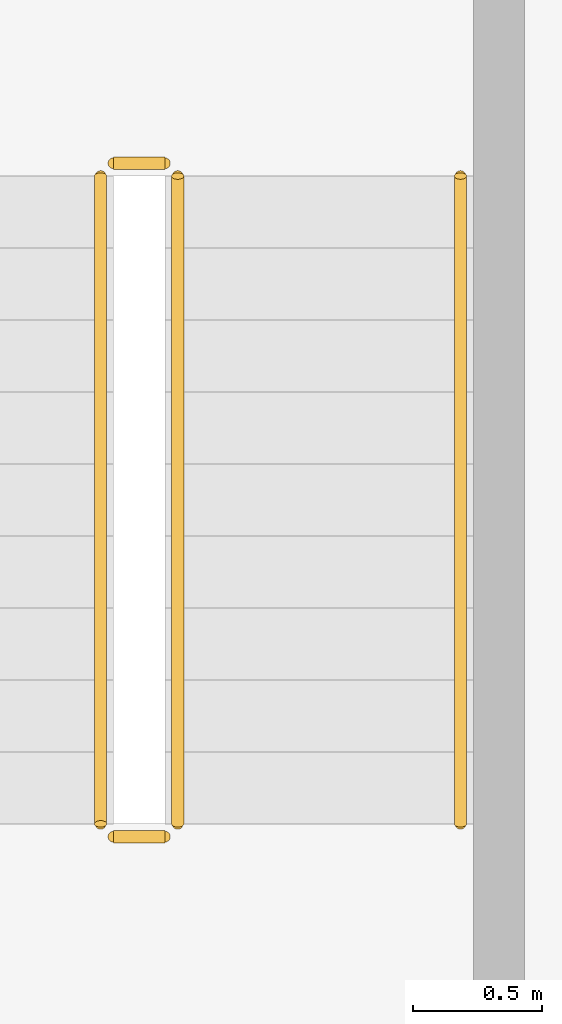
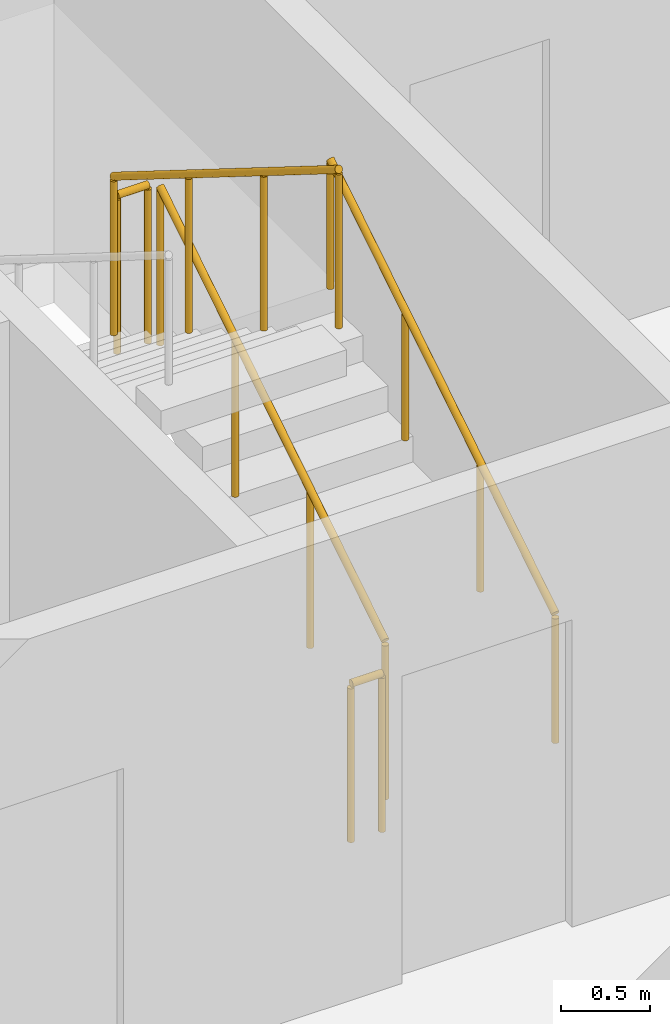
# One storey, part 14 of 18: 5 railings.
"""IFC4 building model written with IfcOpenShell, lengths in metres."""

from ifc_helpers import new_model, si_unit, direction, frame, origin, origin_2d, place, context, subcontext, project, spatial, circle, extrude, material, type_object, element, save


model = new_model("IFC4")

# Units and contexts
model_context = context("Model", 3, precision=1e-05, world=origin(), true_north=direction((0.0, 1.0)))
body_context = subcontext(model_context, "Body", "Model", "MODEL_VIEW")
ifc_project = project(units=[si_unit("LENGTHUNIT", "METRE"), si_unit("AREAUNIT", "SQUARE_METRE"), si_unit("VOLUMEUNIT", "CUBIC_METRE"), si_unit("PLANEANGLEUNIT", "RADIAN"), si_unit("MASSUNIT", "GRAM", prefix="KILO")], contexts=[model_context])

# Site, building, storey
site_placement = place(None, origin())
site = spatial("IfcSite", under=ifc_project, at=site_placement, CompositionType="ELEMENT")
building_placement = place(site_placement, origin())
building = spatial("IfcBuilding", under=site, at=building_placement, Name="Kiln Ring Residences", CompositionType="ELEMENT")
storey_placement = place(building_placement, frame((0.0, 0.0, 157.10009765625)))
storey = spatial("IfcBuildingStorey", under=building, at=storey_placement, Name="L40", CompositionType="ELEMENT", Elevation=157.10009765625)

# Railings
ifc_material_1 = material(Name="Stainless steel", Category="steel")
railing_type_1 = type_object("IfcRailingType", Name="CORE-STAIR-GUARD", PredefinedType="GUARDRAIL", material=ifc_material_1)
railing_1_placement = place(storey_placement, frame((22.25, -8.39990234375, 0.1748046875)))
element("IfcRailing", 1, at=railing_1_placement, inside=storey, type_object=railing_type_1, Name="L40 E-STS stair guard 1", PredefinedType="GUARDRAIL", context=body_context, shape_type="SweptSolid", body=[
    extrude(circle(Radius=0.02392578125, at=origin_2d()), frame((0.0, 0.0, 1.076171875), z_axis=(0.0, 0.847970611238, 0.530043245855), x_axis=(-1.0, 0.0, 0.0)), (0.0, 0.0, 1.0), 2.971923828125),
    extrude(circle(Radius=0.02099609375, at=origin_2d()), origin(), (0.0, 0.0, 1.0), 1.052001953125),
    extrude(circle(Radius=0.02099609375, at=origin_2d()), frame((0.0, 0.840087890625, 0.525146484375)), (0.0, 0.0, 1.0), 1.052001953125),
    extrude(circle(Radius=0.02099609375, at=origin_2d()), frame((0.0, 1.679931640625, 1.050048828125)), (0.0, 0.0, 1.0), 1.052001953125),
    extrude(circle(Radius=0.02099609375, at=origin_2d()), frame((0.0, 2.52001953125, 1.5751953125)), (0.0, 0.0, 1.0), 1.052001953125),
])
railing_2_placement = place(storey_placement, frame((22.199951171875, -5.830078125, 1.75)))
element("IfcRailing", 2, at=railing_2_placement, inside=storey, type_object=railing_type_1, Name="L40 E-STS stair guard 2", PredefinedType="GUARDRAIL", context=body_context, shape_type="SweptSolid", body=[
    extrude(circle(Radius=0.02392578125, at=origin_2d()), frame((0.0, 0.0, 1.076171875), z_axis=(-1.0, 0.0, 0.0), x_axis=(0.0, -1.0, 0.0)), (0.0, 0.0, 1.0), 0.199951171875),
    extrude(circle(Radius=0.02099609375, at=origin_2d()), origin(), (0.0, 0.0, 1.0), 1.052001953125),
    extrude(circle(Radius=0.02099609375, at=origin_2d()), frame((-0.199951171875, 0.0, 0.0)), (0.0, 0.0, 1.0), 1.052001953125),
])
railing_3_placement = place(storey_placement, frame((21.949951171875, -5.8798828125, 1.9248046875)))
element("IfcRailing", 3, at=railing_3_placement, inside=storey, type_object=railing_type_1, Name="L40 E-STS stair guard 3", PredefinedType="GUARDRAIL", context=body_context, shape_type="SweptSolid", body=[
    extrude(circle(Radius=0.02392578125, at=origin_2d()), frame((0.0, 0.0, 1.076171875), z_axis=(0.0, -0.847970611238, 0.530043245855), x_axis=(1.0, 0.0, 0.0)), (0.0, 0.0, 1.0), 2.971923828125),
    extrude(circle(Radius=0.02099609375, at=origin_2d()), origin(), (0.0, 0.0, 1.0), 1.052001953125),
    extrude(circle(Radius=0.02099609375, at=origin_2d()), frame((0.0, -0.840087890625, 0.525146484375)), (0.0, 0.0, 1.0), 1.052001953125),
    extrude(circle(Radius=0.02099609375, at=origin_2d()), frame((0.0, -1.679931640625, 1.050048828125)), (0.0, 0.0, 1.0), 1.052001953125),
    extrude(circle(Radius=0.02099609375, at=origin_2d()), frame((0.0, -2.52001953125, 1.5751953125)), (0.0, 0.0, 1.0), 1.052001953125),
])
railing_4_placement = place(storey_placement, frame((22.199951171875, -8.449951171875, 0.0)))
element("IfcRailing", 4, at=railing_4_placement, inside=storey, type_object=railing_type_1, Name="L40 E-STS stair guard 4", PredefinedType="GUARDRAIL", context=body_context, shape_type="SweptSolid", body=[
    extrude(circle(Radius=0.02392578125, at=origin_2d()), frame((0.0, 0.0, 1.076171875), z_axis=(-1.0, 0.0, 0.0), x_axis=(0.0, -1.0, 0.0)), (0.0, 0.0, 1.0), 0.199951171875),
    extrude(circle(Radius=0.02099609375, at=origin_2d()), origin(), (0.0, 0.0, 1.0), 1.052001953125),
    extrude(circle(Radius=0.02099609375, at=origin_2d()), frame((-0.199951171875, 0.0, 0.0)), (0.0, 0.0, 1.0), 1.052001953125),
])
ifc_material_2 = material(Name="Stainless steel", Category="steel")
railing_type_2 = type_object("IfcRailingType", Name="CORE-STAIR-HANDRAIL", PredefinedType="HANDRAIL", material=ifc_material_2)
railing_5_placement = place(storey_placement, frame((23.35009765625, -8.39990234375, 0.1748046875)))
element("IfcRailing", 5, at=railing_5_placement, inside=storey, type_object=railing_type_2, Name="L40 E-STS stair handrail 1", PredefinedType="HANDRAIL", context=body_context, shape_type="SweptSolid", body=[
    extrude(circle(Radius=0.02392578125, at=origin_2d()), frame((0.0, 0.0, 0.8759765625), z_axis=(0.0, 0.847970611238, 0.530043245855), x_axis=(-1.0, 0.0, 0.0)), (0.0, 0.0, 1.0), 2.971923828125),
    extrude(circle(Radius=0.02099609375, at=origin_2d()), origin(), (0.0, 0.0, 1.0), 0.851806640625),
    extrude(circle(Radius=0.02099609375, at=origin_2d()), frame((0.0, 0.840087890625, 0.525146484375)), (0.0, 0.0, 1.0), 0.851806640625),
    extrude(circle(Radius=0.02099609375, at=origin_2d()), frame((0.0, 1.679931640625, 1.050048828125)), (0.0, 0.0, 1.0), 0.851806640625),
    extrude(circle(Radius=0.02099609375, at=origin_2d()), frame((0.0, 2.52001953125, 1.5751953125)), (0.0, 0.0, 1.0), 0.851806640625),
])

save(model, "model.ifc")
